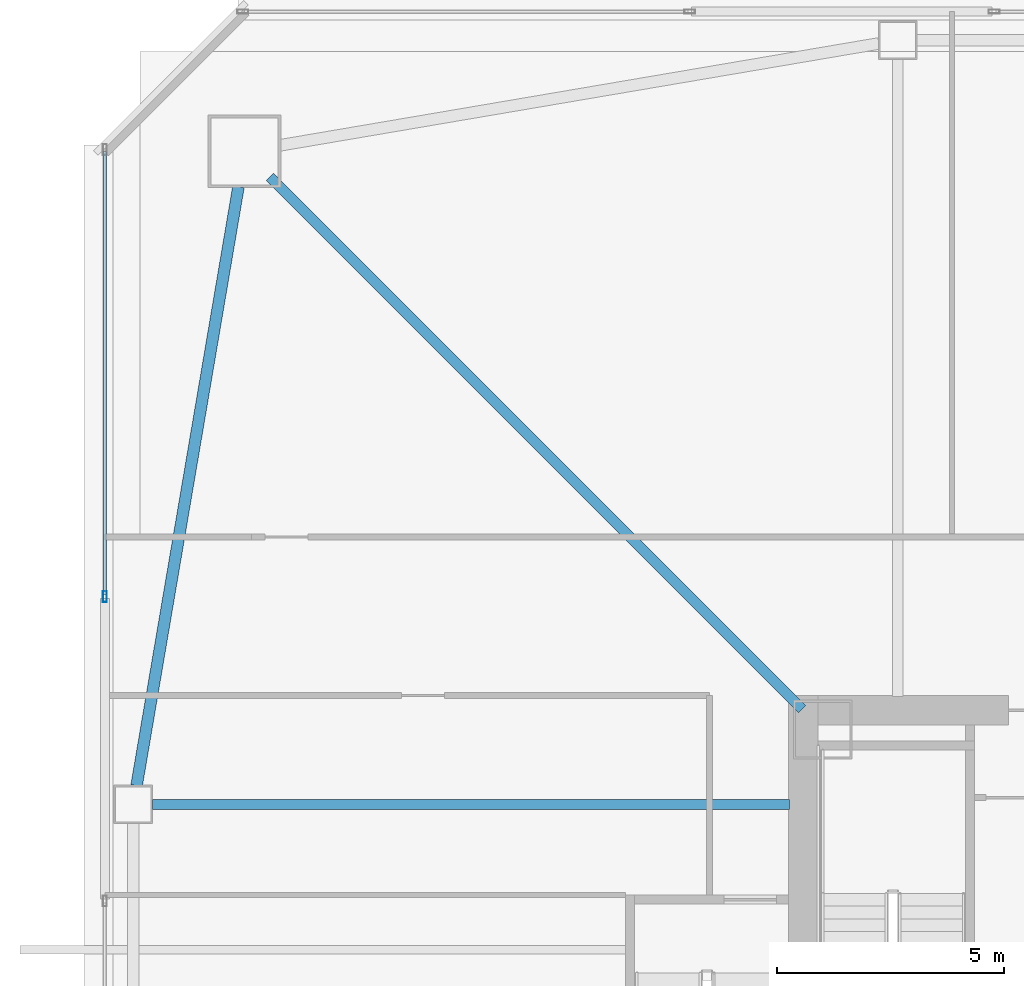
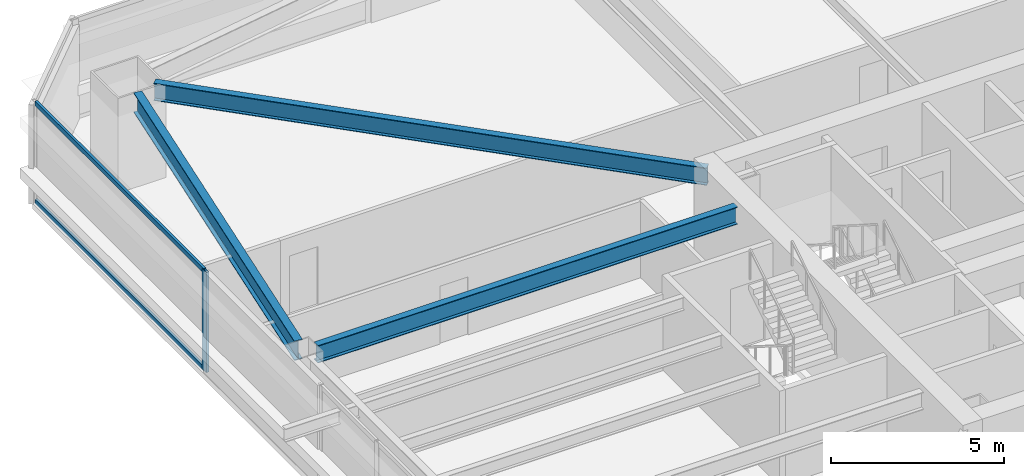
# One storey, part 11 of 46: 3 beams, 3 members, 1 element without a shape of its own.
"""IFC4 building model written with IfcOpenShell, lengths in metres."""

from ifc_helpers import new_model, si_unit, direction, frame, origin, origin_2d, place, context, subcontext, project, spatial, hollow_rectangle, i_section, extrude, material, material_profile, profile_set, type_object, element, aggregate, save


model = new_model("IFC4")

# Units and contexts
model_context = context("Model", 3, precision=1e-05, world=origin(), true_north=direction((0.0, 1.0)))
body_context = subcontext(model_context, "Body", "Model", "MODEL_VIEW")
ifc_project = project(units=[si_unit("LENGTHUNIT", "METRE"), si_unit("AREAUNIT", "SQUARE_METRE"), si_unit("VOLUMEUNIT", "CUBIC_METRE"), si_unit("PLANEANGLEUNIT", "RADIAN"), si_unit("MASSUNIT", "GRAM", prefix="KILO")], contexts=[model_context])

# Site, building, storey
site_placement = place(None, origin())
site = spatial("IfcSite", under=ifc_project, at=site_placement, CompositionType="ELEMENT")
building_placement = place(site_placement, origin())
building = spatial("IfcBuilding", under=site, at=building_placement, Name="Tashvorn Skyway Center", CompositionType="ELEMENT")
storey_placement = place(building_placement, frame((0.0, 0.0, 38.800048828125)))
storey = spatial("IfcBuildingStorey", under=building, at=storey_placement, Name="L09", CompositionType="ELEMENT", Elevation=38.800048828125)

# Beams
ifc_material_1 = material(Name="Steel ASTM A992 Grade 50", Category="steel")
ifc_material_profile_1 = material_profile(ifc_material_1, i_section(OverallWidth=0.22998046875, OverallDepth=0.616943359375, WebThickness=0.01318359375, FlangeThickness=0.022216796875, at=origin_2d()), Name="W24X94")
ifc_profile_set_1 = profile_set([ifc_material_profile_1], Name="Steel ASTM A992 Grade 50")
beam_type_1 = type_object("IfcBeamType", Name="BM-BEAM-W24X94", PredefinedType="BEAM", material=ifc_profile_set_1)
beam_1_placement = place(storey_placement, frame((22.76220703125, 51.23779296875, 3.04150390625), z_axis=(0.707106781187, -0.707106781187, 0.0), x_axis=(0.707106781187, 0.707106781187, 0.0)))
element("IfcBeam", 1, at=beam_1_placement, inside=storey, type_object=beam_type_1, Name="Tower 1 L09 Primary Floor Girder MC-NW", PredefinedType="BEAM", context=body_context, shape_type="SweptSolid", body=[
    extrude(i_section(OverallWidth=0.22998046875, OverallDepth=0.616943359375, WebThickness=0.01318359375, FlangeThickness=0.022216796875, at=origin_2d()), origin(), (0.0, 0.0, 1.0), 16.591064453125),
])
beam_2_placement = place(storey_placement, frame((20.169921875, 37.39990234375, 3.04150390625), z_axis=(1.0, 0.0, 0.0), x_axis=(0.0, 1.0, 0.0)))
element("IfcBeam", 2, at=beam_2_placement, inside=storey, type_object=beam_type_1, Name="Tower 1 L09 Primary Floor Girder FC-W1", PredefinedType="BEAM", context=body_context, shape_type="SweptSolid", body=[
    extrude(i_section(OverallWidth=0.22998046875, OverallDepth=0.616943359375, WebThickness=0.01318359375, FlangeThickness=0.022216796875, at=origin_2d()), origin(), (0.0, 0.0, 1.0), 14.050048828125),
])
ifc_material_profile_2 = material_profile(ifc_material_1, i_section(OverallWidth=0.256103515625, OverallDepth=0.693115234375, WebThickness=0.014404296875, FlangeThickness=0.023681640625, at=origin_2d()), Name="W27X114")
ifc_profile_set_2 = profile_set([ifc_material_profile_2], Name="Steel ASTM A992 Grade 50")
beam_type_2 = type_object("IfcBeamType", Name="BM-SPANDREL-W27X114", PredefinedType="SPANDREL", material=ifc_profile_set_2)
beam_3_placement = place(storey_placement, frame((22.066650390625, 51.016357421875, 3.00341796875), z_axis=(-0.16771792509, -0.985835025551, 0.0), x_axis=(0.985835025551, -0.16771792509, 0.0)))
element("IfcBeam", 3, at=beam_3_placement, inside=storey, type_object=beam_type_2, Name="Tower 1 L09 Spandrel Beam 10", PredefinedType="SPANDREL", context=body_context, shape_type="SweptSolid", body=[
    extrude(i_section(OverallWidth=0.256103515625, OverallDepth=0.693115234375, WebThickness=0.014404296875, FlangeThickness=0.023681640625, at=origin_2d()), origin(), (0.0, 0.0, 1.0), 13.39208984375),
])

# Curtain wall, members
ifc_material_2 = material(Name="Thermally broken bronze-anodized aluminium 6063-T6", Category="aluminium")
curtain_wall_type = type_object("IfcCurtainWallType", Name="CW-CW-Z1", PredefinedType="NOTDEFINED", material=ifc_material_2)
curtain_wall_placement = place(storey_placement, origin())
curtain_wall = element("IfcCurtainWall", 4, at=curtain_wall_placement, inside=storey, type_object=curtain_wall_type, Name="Tower 1 L09 West Unitised Curtain Wall Glazing Group 3", PredefinedType="NOTDEFINED")
ifc_material_profile_3 = material_profile(ifc_material_2, hollow_rectangle(XDim=0.0849609375, YDim=0.239990234375, WallThickness=0.0048828125, at=origin_2d()), Name="ALU-MULL-85x240")
ifc_profile_set_3 = profile_set([ifc_material_profile_3], Name="Thermally broken bronze-anodized aluminium 6063-T6")
member_type_1 = type_object("IfcMemberType", Name="CWM-CW-Z1", PredefinedType="MULLION", material=ifc_profile_set_3)
member_1_placement = place(storey_placement, frame((19.1201171875, 41.982421875, 0.0), z_axis=(0.0, 0.0, 1.0), x_axis=(-1.0, 0.0, 0.0)))
member_1 = element("IfcMember", 5, at=member_1_placement, type_object=member_type_1, Name="CW-Z1 mullion 1", PredefinedType="MULLION", context=body_context, shape_type="SweptSolid", body=[
    extrude(hollow_rectangle(XDim=0.0849609375, YDim=0.239990234375, WallThickness=0.0048828125, at=origin_2d()), origin(), (0.0, 0.0, 1.0), 3.550048828125),
])
ifc_material_profile_4 = material_profile(ifc_material_2, hollow_rectangle(XDim=0.0849609375, YDim=0.1650390625, WallThickness=0.0048828125, at=origin_2d()), Name="ALU-TRAN-85x165")
ifc_profile_set_4 = profile_set([ifc_material_profile_4], Name="Thermally broken bronze-anodized aluminium 6063-T6")
member_type_2 = type_object("IfcMemberType", Name="CWT-CW-Z1", PredefinedType="USERDEFINED", material=ifc_profile_set_4)
member_2_placement = place(storey_placement, frame((19.1201171875, 42.02490234375, 0.04248046875), z_axis=(0.0, 1.0, 0.0), x_axis=(-1.0, 0.0, 0.0)))
member_2 = element("IfcMember", 6, at=member_2_placement, type_object=member_type_2, Name="CW-Z1 transom 1.1", ObjectType="TRANSOM", PredefinedType="USERDEFINED", context=body_context, shape_type="SweptSolid", body=[
    extrude(hollow_rectangle(XDim=0.0849609375, YDim=0.1650390625, WallThickness=0.0048828125, at=origin_2d()), origin(), (0.0, 0.0, 1.0), 9.77001953125),
])
member_3_placement = place(storey_placement, frame((19.1201171875, 42.02490234375, 3.507568359375), z_axis=(0.0, 1.0, 0.0), x_axis=(-1.0, 0.0, 0.0)))
member_3 = element("IfcMember", 7, at=member_3_placement, type_object=member_type_2, Name="CW-Z1 transom 1.2", ObjectType="TRANSOM", PredefinedType="USERDEFINED", context=body_context, shape_type="SweptSolid", body=[
    extrude(hollow_rectangle(XDim=0.0849609375, YDim=0.1650390625, WallThickness=0.0048828125, at=origin_2d()), origin(), (0.0, 0.0, 1.0), 9.77001953125),
])
aggregate(curtain_wall, [member_1, member_2, member_3])

save(model, "model.ifc")
